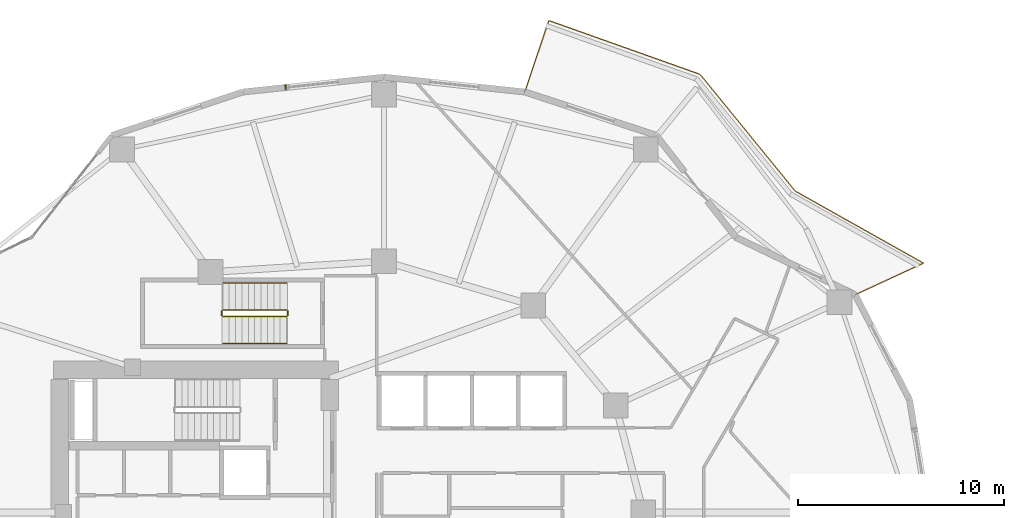
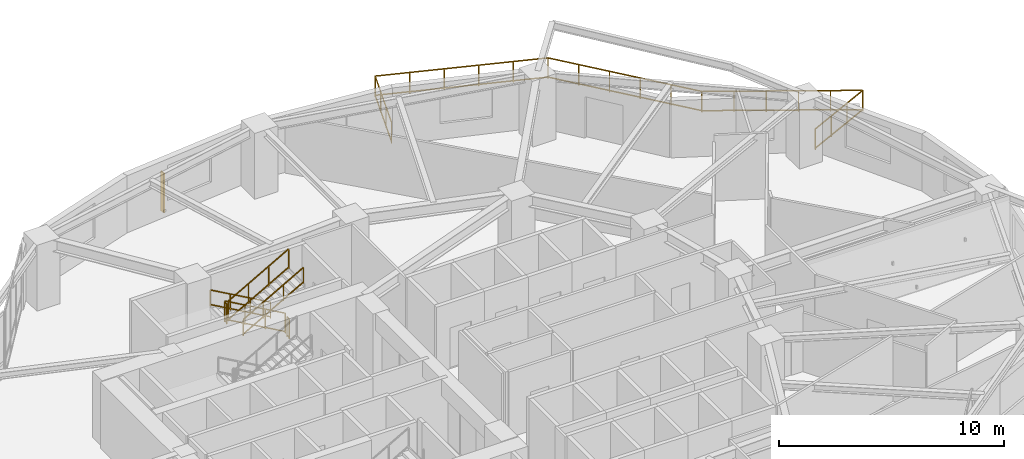
# One storey, part 18 of 18: 7 railings, 1 shading device.
"""IFC4 building model written with IfcOpenShell, lengths in metres."""

from ifc_helpers import new_model, si_unit, direction, frame, origin, origin_2d, place, context, subcontext, project, spatial, rectangle, extrude, material, type_object, element, save


model = new_model("IFC4")

# Units and contexts
model_context = context("Model", 3, precision=1e-05, world=origin(), true_north=direction((0.0, 1.0)))
body_context = subcontext(model_context, "Body", "Model", "MODEL_VIEW")
ifc_project = project(units=[si_unit("LENGTHUNIT", "METRE"), si_unit("AREAUNIT", "SQUARE_METRE"), si_unit("VOLUMEUNIT", "CUBIC_METRE"), si_unit("PLANEANGLEUNIT", "RADIAN"), si_unit("MASSUNIT", "GRAM", prefix="KILO")], contexts=[model_context])

# Site, building, storey
site_placement = place(None, origin())
site = spatial("IfcSite", under=ifc_project, at=site_placement, CompositionType="ELEMENT")
building_placement = place(site_placement, origin())
building = spatial("IfcBuilding", under=site, at=building_placement, Name="Kolvaren Gate Tower and Convention Centre", CompositionType="ELEMENT")
storey_placement = place(building_placement, frame((0.0, 0.0, 53.449951171875)))
storey = spatial("IfcBuildingStorey", under=building, at=storey_placement, Name="L12", CompositionType="ELEMENT", Elevation=53.449951171875)

# Railings
ifc_material_1 = material(Name="Brushed Stainless Steel Grade 316L", Category="steel")
railing_type_1 = type_object("IfcRailingType", Name="ARCH-RL-GUARD-1150", PredefinedType="GUARDRAIL", material=ifc_material_1)
railing_1_placement = place(storey_placement, frame((25.39990234375, 36.830078125, 0.175048828125)))
element("IfcRailing", 1, at=railing_1_placement, inside=storey, type_object=railing_type_1, Name="L12 ST-T3 stair guard 1", PredefinedType="GUARDRAIL", context=body_context, shape_type="SweptSolid", body=[
    extrude(rectangle(XDim=0.048095703125, YDim=0.048095703125, at=origin_2d()), frame((0.0, 0.0, 1.076171875), z_axis=(-0.870814364268, 0.0, 0.491611984175), x_axis=(0.0, -1.0, 0.0)), (0.0, 0.0, 1.0), 3.559814453125),
    extrude(rectangle(XDim=0.048095703125, YDim=0.048095703125, at=origin_2d()), frame((0.0, 0.0, 0.083984375), z_axis=(-0.870814364268, 0.0, 0.491611984175), x_axis=(0.0, -1.0, 0.0)), (0.0, 0.0, 1.0), 3.559814453125),
    extrude(rectangle(XDim=0.0419921875, YDim=0.0419921875, at=origin_2d()), origin(), (0.0, 0.0, 1.0), 1.050048828125),
    extrude(rectangle(XDim=0.0419921875, YDim=0.0419921875, at=origin_2d()), frame((-3.099853515625, 0.0, 1.75)), (0.0, 0.0, 1.0), 1.050048828125),
    extrude(rectangle(XDim=0.0419921875, YDim=0.0419921875, at=origin_2d()), frame((-1.033203125, 0.0, 0.583251953125)), (0.0, 0.0, 1.0), 1.050048828125),
    extrude(rectangle(XDim=0.0419921875, YDim=0.0419921875, at=origin_2d()), frame((-2.066650390625, 0.0, 1.166748046875)), (0.0, 0.0, 1.0), 1.050048828125),
])
railing_2_placement = place(storey_placement, frame((22.25, 36.780029296875, 1.925048828125)))
element("IfcRailing", 2, at=railing_2_placement, inside=storey, type_object=railing_type_1, Name="L12 ST-T3 stair guard 2", PredefinedType="GUARDRAIL", context=body_context, shape_type="SweptSolid", body=[
    extrude(rectangle(XDim=0.048095703125, YDim=0.048095703125, at=origin_2d()), frame((0.0, 0.0, 1.076171875), z_axis=(0.0, -1.0, 0.0), x_axis=(1.0, 0.0, 0.0)), (0.0, 0.0, 1.0), 0.199951171875),
    extrude(rectangle(XDim=0.048095703125, YDim=0.048095703125, at=origin_2d()), frame((0.0, 0.0, 0.083984375), z_axis=(0.0, -1.0, 0.0), x_axis=(1.0, 0.0, 0.0)), (0.0, 0.0, 1.0), 0.199951171875),
    extrude(rectangle(XDim=0.0419921875, YDim=0.0419921875, at=origin_2d()), origin(), (0.0, 0.0, 1.0), 1.050048828125),
    extrude(rectangle(XDim=0.0419921875, YDim=0.0419921875, at=origin_2d()), frame((0.0, -0.199951171875, 0.0)), (0.0, 0.0, 1.0), 1.050048828125),
])
railing_3_placement = place(storey_placement, frame((22.300048828125, 36.530029296875, 2.10009765625)))
element("IfcRailing", 3, at=railing_3_placement, inside=storey, type_object=railing_type_1, Name="L12 ST-T3 stair guard 3", PredefinedType="GUARDRAIL", context=body_context, shape_type="SweptSolid", body=[
    extrude(rectangle(XDim=0.048095703125, YDim=0.048095703125, at=origin_2d()), frame((0.0, 0.0, 1.076171875), z_axis=(0.870814364268, 0.0, 0.491611984175), x_axis=(0.0, 1.0, 0.0)), (0.0, 0.0, 1.0), 3.559814453125),
    extrude(rectangle(XDim=0.048095703125, YDim=0.048095703125, at=origin_2d()), frame((0.0, 0.0, 0.083984375), z_axis=(0.870814364268, 0.0, 0.491611984175), x_axis=(0.0, 1.0, 0.0)), (0.0, 0.0, 1.0), 3.559814453125),
    extrude(rectangle(XDim=0.0419921875, YDim=0.0419921875, at=origin_2d()), origin(), (0.0, 0.0, 1.0), 1.050048828125),
    extrude(rectangle(XDim=0.0419921875, YDim=0.0419921875, at=origin_2d()), frame((3.099853515625, 0.0, 1.75)), (0.0, 0.0, 1.0), 1.050048828125),
    extrude(rectangle(XDim=0.0419921875, YDim=0.0419921875, at=origin_2d()), frame((1.033203125, 0.0, 0.583251953125)), (0.0, 0.0, 1.0), 1.050048828125),
    extrude(rectangle(XDim=0.0419921875, YDim=0.0419921875, at=origin_2d()), frame((2.066650390625, 0.0, 1.166748046875)), (0.0, 0.0, 1.0), 1.050048828125),
])
railing_4_placement = place(storey_placement, frame((25.449951171875, 36.780029296875, 0.0)))
element("IfcRailing", 4, at=railing_4_placement, inside=storey, type_object=railing_type_1, Name="L12 ST-T3 stair guard 4", PredefinedType="GUARDRAIL", context=body_context, shape_type="SweptSolid", body=[
    extrude(rectangle(XDim=0.048095703125, YDim=0.048095703125, at=origin_2d()), frame((0.0, 0.0, 1.076171875), z_axis=(0.0, -1.0, 0.0), x_axis=(1.0, 0.0, 0.0)), (0.0, 0.0, 1.0), 0.199951171875),
    extrude(rectangle(XDim=0.048095703125, YDim=0.048095703125, at=origin_2d()), frame((0.0, 0.0, 0.083984375), z_axis=(0.0, -1.0, 0.0), x_axis=(1.0, 0.0, 0.0)), (0.0, 0.0, 1.0), 0.199951171875),
    extrude(rectangle(XDim=0.0419921875, YDim=0.0419921875, at=origin_2d()), origin(), (0.0, 0.0, 1.0), 1.050048828125),
    extrude(rectangle(XDim=0.0419921875, YDim=0.0419921875, at=origin_2d()), frame((0.0, -0.199951171875, 0.0)), (0.0, 0.0, 1.0), 1.050048828125),
])
railing_5_placement = place(storey_placement, frame((53.0205078125, 37.574951171875, 0.0)))
element("IfcRailing", 5, at=railing_5_placement, inside=storey, type_object=railing_type_1, Name="Tower L12 Terrace Perimeter Guardrail GR-1", PredefinedType="GUARDRAIL", context=body_context, shape_type="SweptSolid", body=[
    extrude(rectangle(XDim=0.048095703125, YDim=0.048095703125, at=origin_2d()), frame((0.025390625, 0.01171875, 1.1259765625), z_axis=(0.907846116663, 0.419303503993, 0.0), x_axis=(-0.419303503993, 0.907846116663, 0.0)), (0.0, 0.0, 1.0), 3.60400390625),
    extrude(rectangle(XDim=0.048095703125, YDim=0.048095703125, at=origin_2d()), frame((0.025390625, 0.01171875, 0.083984375), z_axis=(0.907846116663, 0.419303503993, 0.0), x_axis=(-0.419303503993, 0.907846116663, 0.0)), (0.0, 0.0, 1.0), 3.60400390625),
    extrude(rectangle(XDim=0.048095703125, YDim=0.048095703125, at=origin_2d()), frame((3.29833984375, 1.54833984375, 1.1259765625), z_axis=(-0.871783301661, 0.489891697159, 0.0), x_axis=(-0.489891697159, -0.871783301661, 0.0)), (0.0, 0.0, 1.0), 7.096435546875),
    extrude(rectangle(XDim=0.048095703125, YDim=0.048095703125, at=origin_2d()), frame((3.29833984375, 1.54833984375, 0.083984375), z_axis=(-0.871783301661, 0.489891697159, 0.0), x_axis=(-0.489891697159, -0.871783301661, 0.0)), (0.0, 0.0, 1.0), 7.096435546875),
    extrude(rectangle(XDim=0.048095703125, YDim=0.048095703125, at=origin_2d()), frame((-2.930419921875, 5.060302734375, 1.1259765625), z_axis=(-0.631819273026, 0.775115737315, 0.0), x_axis=(-0.775115737315, -0.631819273026, 0.0)), (0.0, 0.0, 1.0), 7.259765625),
    extrude(rectangle(XDim=0.048095703125, YDim=0.048095703125, at=origin_2d()), frame((-2.930419921875, 5.060302734375, 0.083984375), z_axis=(-0.631819273026, 0.775115737315, 0.0), x_axis=(-0.775115737315, -0.631819273026, 0.0)), (0.0, 0.0, 1.0), 7.259765625),
    extrude(rectangle(XDim=0.048095703125, YDim=0.048095703125, at=origin_2d()), frame((-7.561279296875, 10.718505859375, 1.1259765625), z_axis=(-0.942200211781, 0.335050385643, 0.0), x_axis=(-0.335050385643, -0.942200211781, 0.0)), (0.0, 0.0, 1.0), 7.7509765625),
    extrude(rectangle(XDim=0.048095703125, YDim=0.048095703125, at=origin_2d()), frame((-7.561279296875, 10.718505859375, 0.083984375), z_axis=(-0.942200211781, 0.335050385643, 0.0), x_axis=(-0.335050385643, -0.942200211781, 0.0)), (0.0, 0.0, 1.0), 7.7509765625),
    extrude(rectangle(XDim=0.048095703125, YDim=0.048095703125, at=origin_2d()), frame((-14.8994140625, 13.29833984375, 1.1259765625), z_axis=(-0.317568160167, -0.94823544737, 0.0), x_axis=(0.94823544737, -0.317568160167, 0.0)), (0.0, 0.0, 1.0), 3.60400390625),
    extrude(rectangle(XDim=0.048095703125, YDim=0.048095703125, at=origin_2d()), frame((-14.8994140625, 13.29833984375, 0.083984375), z_axis=(-0.317568160167, -0.94823544737, 0.0), x_axis=(0.94823544737, -0.317568160167, 0.0)), (0.0, 0.0, 1.0), 3.60400390625),
    extrude(rectangle(XDim=0.0419921875, YDim=0.0419921875, at=origin_2d()), origin(), (0.0, 0.0, 1.0), 1.14990234375),
    extrude(rectangle(XDim=0.0419921875, YDim=0.0419921875, at=origin_2d()), frame((3.32275390625, 1.53466796875, 0.0)), (0.0, 0.0, 1.0), 1.14990234375),
    extrude(rectangle(XDim=0.0419921875, YDim=0.0419921875, at=origin_2d()), frame((1.107666015625, 0.511474609375, 0.0)), (0.0, 0.0, 1.0), 1.099853515625),
    extrude(rectangle(XDim=0.0419921875, YDim=0.0419921875, at=origin_2d()), frame((2.215087890625, 1.023193359375, 0.0)), (0.0, 0.0, 1.0), 1.099853515625),
    extrude(rectangle(XDim=0.0419921875, YDim=0.0419921875, at=origin_2d()), frame((-2.91259765625, 5.03857421875, 0.0)), (0.0, 0.0, 1.0), 1.14990234375),
    extrude(rectangle(XDim=0.0419921875, YDim=0.0419921875, at=origin_2d()), frame((2.07568359375, 2.2353515625, 0.0)), (0.0, 0.0, 1.0), 1.099853515625),
    extrude(rectangle(XDim=0.0419921875, YDim=0.0419921875, at=origin_2d()), frame((0.82861328125, 2.936279296875, 0.0)), (0.0, 0.0, 1.0), 1.099853515625),
    extrude(rectangle(XDim=0.0419921875, YDim=0.0419921875, at=origin_2d()), frame((-0.41845703125, 3.636962890625, 0.0)), (0.0, 0.0, 1.0), 1.099853515625),
    extrude(rectangle(XDim=0.0419921875, YDim=0.0419921875, at=origin_2d()), frame((-1.66552734375, 4.337890625, 0.0)), (0.0, 0.0, 1.0), 1.099853515625),
    extrude(rectangle(XDim=0.0419921875, YDim=0.0419921875, at=origin_2d()), frame((-7.534912109375, 10.709228515625, 0.0)), (0.0, 0.0, 1.0), 1.14990234375),
    extrude(rectangle(XDim=0.0419921875, YDim=0.0419921875, at=origin_2d()), frame((-3.837158203125, 6.172607421875, 0.0)), (0.0, 0.0, 1.0), 1.099853515625),
    extrude(rectangle(XDim=0.0419921875, YDim=0.0419921875, at=origin_2d()), frame((-4.761474609375, 7.306884765625, 0.0)), (0.0, 0.0, 1.0), 1.099853515625),
    extrude(rectangle(XDim=0.0419921875, YDim=0.0419921875, at=origin_2d()), frame((-5.68603515625, 8.44091796875, 0.0)), (0.0, 0.0, 1.0), 1.099853515625),
    extrude(rectangle(XDim=0.0419921875, YDim=0.0419921875, at=origin_2d()), frame((-6.6103515625, 9.5751953125, 0.0)), (0.0, 0.0, 1.0), 1.099853515625),
    extrude(rectangle(XDim=0.0419921875, YDim=0.0419921875, at=origin_2d()), frame((-14.890625, 13.324951171875, 0.0)), (0.0, 0.0, 1.0), 1.14990234375),
    extrude(rectangle(XDim=0.0419921875, YDim=0.0419921875, at=origin_2d()), frame((-9.006103515625, 11.232421875, 0.0)), (0.0, 0.0, 1.0), 1.099853515625),
    extrude(rectangle(XDim=0.0419921875, YDim=0.0419921875, at=origin_2d()), frame((-10.477294921875, 11.755615234375, 0.0)), (0.0, 0.0, 1.0), 1.099853515625),
    extrude(rectangle(XDim=0.0419921875, YDim=0.0419921875, at=origin_2d()), frame((-11.9482421875, 12.278564453125, 0.0)), (0.0, 0.0, 1.0), 1.099853515625),
    extrude(rectangle(XDim=0.0419921875, YDim=0.0419921875, at=origin_2d()), frame((-13.41943359375, 12.8017578125, 0.0)), (0.0, 0.0, 1.0), 1.099853515625),
    extrude(rectangle(XDim=0.0419921875, YDim=0.0419921875, at=origin_2d()), frame((-16.052978515625, 9.854248046875, 0.0)), (0.0, 0.0, 1.0), 1.14990234375),
    extrude(rectangle(XDim=0.0419921875, YDim=0.0419921875, at=origin_2d()), frame((-15.278076171875, 12.16796875, 0.0)), (0.0, 0.0, 1.0), 1.099853515625),
    extrude(rectangle(XDim=0.0419921875, YDim=0.0419921875, at=origin_2d()), frame((-15.66552734375, 11.01123046875, 0.0)), (0.0, 0.0, 1.0), 1.099853515625),
])
railing_type_2 = type_object("IfcRailingType", Name="ARCH-RL-HANDRAIL-920", PredefinedType="HANDRAIL", material=ifc_material_1)
railing_6_placement = place(storey_placement, frame((25.39990234375, 38.14990234375, 0.175048828125)))
element("IfcRailing", 6, at=railing_6_placement, inside=storey, type_object=railing_type_2, Name="L12 ST-T3 stair handrail 1", PredefinedType="HANDRAIL", context=body_context, shape_type="SweptSolid", body=[
    extrude(rectangle(XDim=0.048095703125, YDim=0.048095703125, at=origin_2d()), frame((0.0, 0.0, 0.8759765625), z_axis=(-0.870814364268, 0.0, 0.491611984175), x_axis=(0.0, -1.0, 0.0)), (0.0, 0.0, 1.0), 3.559814453125),
    extrude(rectangle(XDim=0.048095703125, YDim=0.048095703125, at=origin_2d()), frame((0.0, 0.0, 0.083984375), z_axis=(-0.870814364268, 0.0, 0.491611984175), x_axis=(0.0, -1.0, 0.0)), (0.0, 0.0, 1.0), 3.559814453125),
    extrude(rectangle(XDim=0.0419921875, YDim=0.0419921875, at=origin_2d()), origin(), (0.0, 0.0, 1.0), 0.849853515625),
    extrude(rectangle(XDim=0.0419921875, YDim=0.0419921875, at=origin_2d()), frame((-3.099853515625, 0.0, 1.75)), (0.0, 0.0, 1.0), 0.849853515625),
    extrude(rectangle(XDim=0.0419921875, YDim=0.0419921875, at=origin_2d()), frame((-1.033203125, 0.0, 0.583251953125)), (0.0, 0.0, 1.0), 0.849853515625),
    extrude(rectangle(XDim=0.0419921875, YDim=0.0419921875, at=origin_2d()), frame((-2.066650390625, 0.0, 1.166748046875)), (0.0, 0.0, 1.0), 0.849853515625),
])
railing_7_placement = place(storey_placement, frame((22.300048828125, 35.2099609375, 2.10009765625)))
element("IfcRailing", 7, at=railing_7_placement, inside=storey, type_object=railing_type_2, Name="L12 ST-T3 stair handrail 2", PredefinedType="HANDRAIL", context=body_context, shape_type="SweptSolid", body=[
    extrude(rectangle(XDim=0.048095703125, YDim=0.048095703125, at=origin_2d()), frame((0.0, 0.0, 0.8759765625), z_axis=(0.870814364268, 0.0, 0.491611984175), x_axis=(0.0, 1.0, 0.0)), (0.0, 0.0, 1.0), 3.559814453125),
    extrude(rectangle(XDim=0.048095703125, YDim=0.048095703125, at=origin_2d()), frame((0.0, 0.0, 0.083984375), z_axis=(0.870814364268, 0.0, 0.491611984175), x_axis=(0.0, 1.0, 0.0)), (0.0, 0.0, 1.0), 3.559814453125),
    extrude(rectangle(XDim=0.0419921875, YDim=0.0419921875, at=origin_2d()), origin(), (0.0, 0.0, 1.0), 0.849853515625),
    extrude(rectangle(XDim=0.0419921875, YDim=0.0419921875, at=origin_2d()), frame((3.099853515625, 0.0, 1.75)), (0.0, 0.0, 1.0), 0.849853515625),
    extrude(rectangle(XDim=0.0419921875, YDim=0.0419921875, at=origin_2d()), frame((1.033203125, 0.0, 0.583251953125)), (0.0, 0.0, 1.0), 0.849853515625),
    extrude(rectangle(XDim=0.0419921875, YDim=0.0419921875, at=origin_2d()), frame((2.066650390625, 0.0, 1.166748046875)), (0.0, 0.0, 1.0), 0.849853515625),
])

# Shading device
ifc_material_2 = material(Name="Kiln-Fired Bogota Terracotta Ceramic Louvre Profile", Category="masonry")
shading_device_type = type_object("IfcShadingDeviceType", Name="ARCH-SHD-FIN-180", PredefinedType="JALOUSIE", material=ifc_material_2)
shading_device_placement = place(storey_placement, frame((25.35107421875, 47.647216796875, 0.22021484375), z_axis=(0.0, 0.0, 1.0), x_axis=(0.994498884311, 0.104747167526, 0.0)))
element("IfcShadingDevice", 8, at=shading_device_placement, inside=storey, type_object=shading_device_type, Name="Ceramic Vertical Brise-Soleil Fin FN-L12-06", PredefinedType="JALOUSIE", context=body_context, shape_type="SweptSolid", body=[
    extrude(rectangle(XDim=0.06005859375, YDim=0.239990234375, at=origin_2d()), origin(), (0.0, 0.0, 1.0), 2.14990234375),
])

save(model, "model.ifc")
